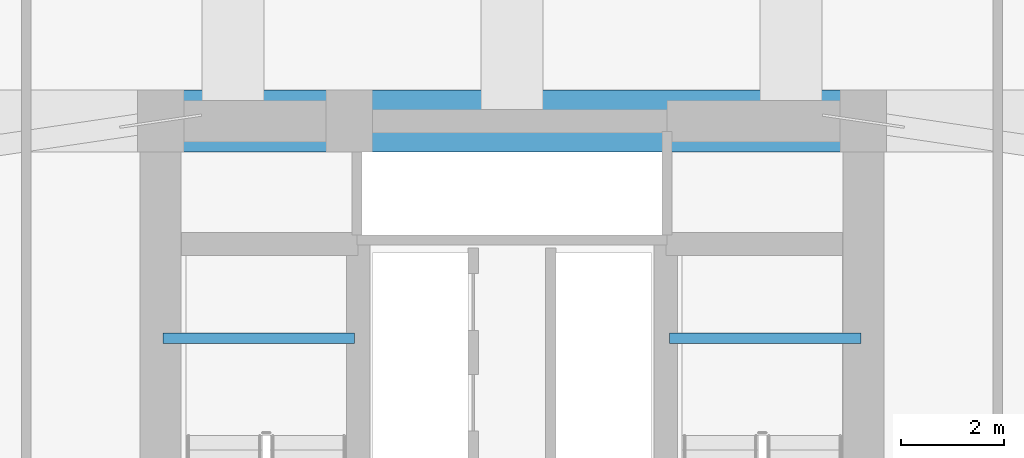
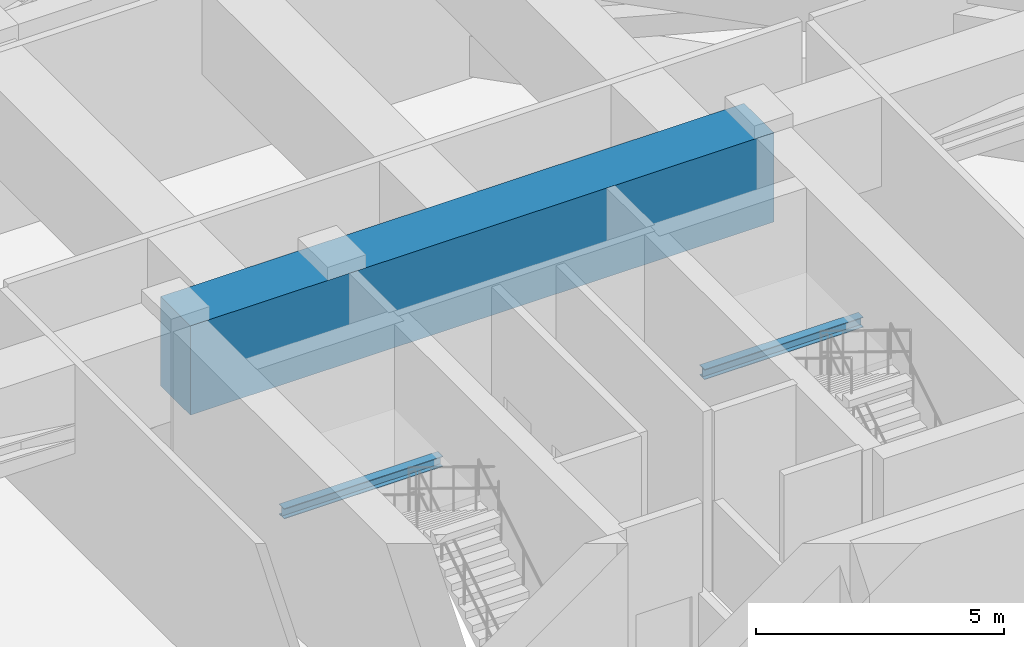
# One storey, part 13 of 41: 3 beams.
"""IFC4 building model written with IfcOpenShell, lengths in metres."""

from ifc_helpers import new_model, si_unit, direction, frame, origin, origin_2d, place, context, subcontext, project, spatial, rectangle, i_section, extrude, material, material_profile, profile_set, type_object, element, save


model = new_model("IFC4")

# Units and contexts
model_context = context("Model", 3, precision=1e-05, world=origin(), true_north=direction((0.0, 1.0)))
body_context = subcontext(model_context, "Body", "Model", "MODEL_VIEW")
ifc_project = project(units=[si_unit("LENGTHUNIT", "METRE"), si_unit("AREAUNIT", "SQUARE_METRE"), si_unit("VOLUMEUNIT", "CUBIC_METRE"), si_unit("PLANEANGLEUNIT", "RADIAN"), si_unit("MASSUNIT", "GRAM", prefix="KILO")], contexts=[model_context])

# Site, building, storey
site_placement = place(None, origin())
site = spatial("IfcSite", under=ifc_project, at=site_placement, CompositionType="ELEMENT")
building_placement = place(site_placement, origin())
building = spatial("IfcBuilding", under=site, at=building_placement, Name="Veraguas Prism Commons", CompositionType="ELEMENT")
storey_placement = place(building_placement, frame((0.0, 0.0, 80.35009765625)))
storey = spatial("IfcBuildingStorey", under=building, at=storey_placement, Name="L22", CompositionType="ELEMENT", Elevation=80.35009765625)

# Beams
ifc_material_1 = material(Name="Concrete C50/60", Category="concrete")
ifc_material_profile_1 = material_profile(ifc_material_1, rectangle(XDim=1.199951171875, YDim=2.199951171875, at=origin_2d()), Name="RC1200X2200")
ifc_profile_set_1 = profile_set([ifc_material_profile_1], Name="Concrete C50/60")
beam_type_1 = type_object("IfcBeamType", Name="Podium Transfer Girder RC 1200x2200", PredefinedType="BEAM", material=ifc_profile_set_1)
beam_placement = place(storey_placement, frame((17.199951171875, 31.0, 3.3798828125), z_axis=(1.0, 0.0, 0.0), x_axis=(0.0, 1.0, 0.0)))
element("IfcBeam", 1, at=beam_placement, inside=storey, type_object=beam_type_1, Name="Core North Transfer Girder L22", PredefinedType="BEAM", context=body_context, shape_type="SweptSolid", body=[
    extrude(rectangle(XDim=1.199951171875, YDim=2.199951171875, at=origin_2d()), origin(), (0.0, 0.0, 1.0), 13.60009765625),
])
ifc_material_2 = material(Name="Steel ASTM A992 Grade 50", Category="steel")
ifc_material_profile_2 = material_profile(ifc_material_2, i_section(OverallWidth=0.202880859375, OverallDepth=0.251953125, WebThickness=0.008056640625, FlangeThickness=0.013427734375, at=origin_2d()), Name="W250X58")
ifc_profile_set_2 = profile_set([ifc_material_profile_2], Name="Steel ASTM A992 Grade 50")
beam_type_2 = type_object("IfcBeamType", Name="Structural Opening Lintel W250x58", PredefinedType="LINTEL", material=ifc_profile_set_2)
for number, where, z_axis, x_axis, name in (
    (2, (17.25, 26.800048828125, 2.073974609375), (1.0, 0.0, 0.0), (0.0, 1.0, 0.0), "Stair ST-01 Half-Landing Support Beam L22-1"),
    (3, (27.050048828125, 26.800048828125, 2.073974609375), (1.0, 0.0, 0.0), (0.0, 1.0, 0.0), "Stair ST-02 Half-Landing Support Beam L22-1"),
):
    element("IfcBeam", number, at=place(storey_placement, frame(where, z_axis=z_axis, x_axis=x_axis)), inside=storey, type_object=beam_type_2, Name=name, PredefinedType="LINTEL", context=body_context, shape_type="SweptSolid", body=[
        extrude(i_section(OverallWidth=0.202880859375, OverallDepth=0.251953125, WebThickness=0.008056640625, FlangeThickness=0.013427734375, at=origin_2d()), origin(), (0.0, 0.0, 1.0), 3.699951171875),
    ])

save(model, "model.ifc")
